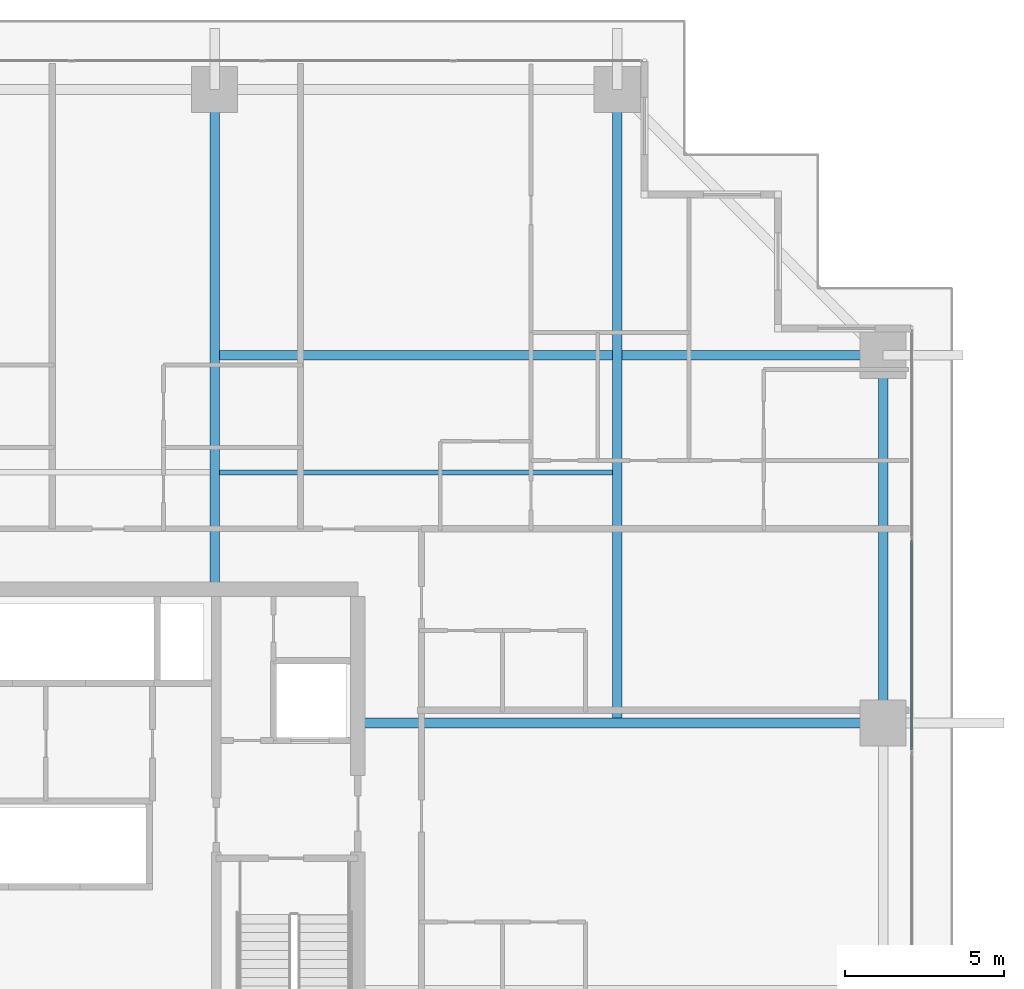
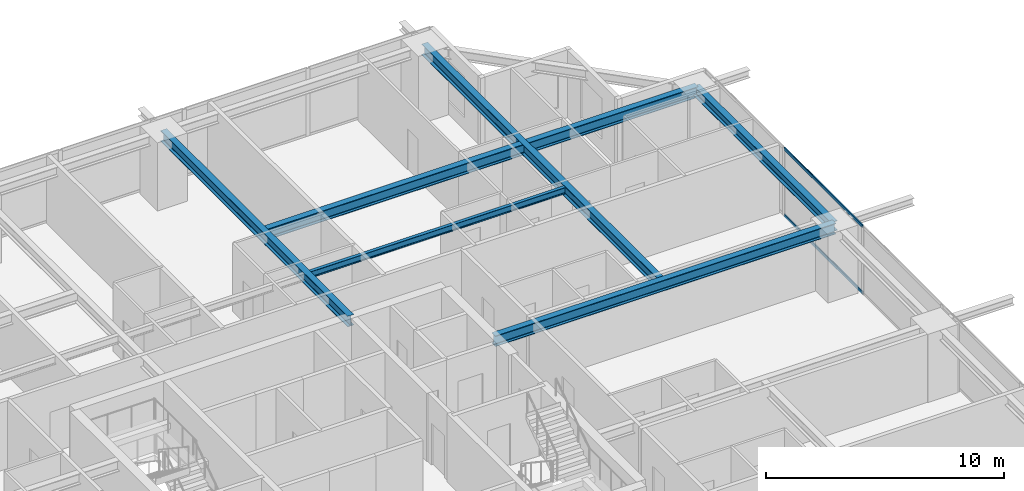
# One storey, part 22 of 40: 6 beams, 2 members, 1 element without a shape of its own.
"""IFC4 building model written with IfcOpenShell, lengths in metres."""

from ifc_helpers import new_model, si_unit, direction, frame, origin, origin_2d, place, context, subcontext, project, spatial, hollow_rectangle, i_section, extrude, source, transform, mapped, material, layer, layer_set, material_profile, profile_set, type_object, element, aggregate, save


model = new_model("IFC4")

# Units and contexts
model_context = context("Model", 3, precision=1e-05, world=origin(), true_north=direction((0.0, 1.0)))
body_context = subcontext(model_context, "Body", "Model", "MODEL_VIEW")
ifc_project = project(units=[si_unit("LENGTHUNIT", "METRE"), si_unit("AREAUNIT", "SQUARE_METRE"), si_unit("VOLUMEUNIT", "CUBIC_METRE"), si_unit("PLANEANGLEUNIT", "RADIAN"), si_unit("MASSUNIT", "GRAM", prefix="KILO")], contexts=[model_context])

# Site, building, storey
site_placement = place(None, origin())
site = spatial("IfcSite", under=ifc_project, at=site_placement, CompositionType="ELEMENT")
building_placement = place(site_placement, origin())
building = spatial("IfcBuilding", under=site, at=building_placement, Name="Serunith Strait Residences", CompositionType="ELEMENT")
storey_placement = place(building_placement, frame((0.0, 0.0, 90.449951171875)))
storey = spatial("IfcBuildingStorey", under=building, at=storey_placement, Name="L22", CompositionType="ELEMENT", Elevation=90.449951171875)

# Beams
ifc_material_1 = material(Name="Steel S355J2", Category="steel")
ifc_material_profile_1 = material_profile(ifc_material_1, i_section(OverallWidth=0.300048828125, OverallDepth=0.550048828125, WebThickness=0.014892578125, FlangeThickness=0.029052734375, FilletRadius=0.027099609375, at=origin_2d()), Name="HEB 550")
ifc_profile_set_1 = profile_set([ifc_material_profile_1], Name="Steel S355J2")
beam_type_1 = type_object("IfcBeamType", Name="BM-HEB550", PredefinedType="BEAM", material=ifc_profile_set_1)
shared_shape_1 = source(origin(), body_context, "Body", "SweptSolid", [
    extrude(i_section(OverallWidth=0.300048828125, OverallDepth=0.550048828125, WebThickness=0.014892578125, FlangeThickness=0.029052734375, FilletRadius=0.027099609375, at=origin_2d()), origin(), (0.0, 0.0, 1.0), 15.699951171875),
])
beam_1_placement = place(storey_placement, frame((36.89990234375, 33.60009765625, 3.212158203125), z_axis=(0.0, 1.0, 0.0), x_axis=(-1.0, 0.0, 0.0)))
element("IfcBeam", 1, at=beam_1_placement, inside=storey, type_object=beam_type_1, Name="L22 Primary Floor Girder TC-N3", PredefinedType="BEAM", context=body_context, shape_type="MappedRepresentation", body=[
    mapped(shared_shape_1, transform((0.0, 0.0, 0.0), scale=1.0)),
])
shared_shape_2 = source(origin(), body_context, "Body", "SweptSolid", [
    extrude(i_section(OverallWidth=0.300048828125, OverallDepth=0.550048828125, WebThickness=0.014892578125, FlangeThickness=0.029052734375, FilletRadius=0.027099609375, at=origin_2d()), origin(), (0.0, 0.0, 1.0), 16.5),
])
beam_2_placement = place(storey_placement, frame((41.39990234375, 29.39990234375, 3.212158203125), z_axis=(1.0, 0.0, 0.0), x_axis=(0.0, 1.0, 0.0)))
element("IfcBeam", 2, at=beam_2_placement, inside=storey, type_object=beam_type_1, Name="L22 Primary Floor Girder TC-E3", PredefinedType="BEAM", context=body_context, shape_type="MappedRepresentation", body=[
    mapped(shared_shape_2, transform((0.0, 0.0, 0.0), scale=1.0)),
])
shared_shape_3 = source(origin(), body_context, "Body", "SweptSolid", [
    extrude(i_section(OverallWidth=0.300048828125, OverallDepth=0.550048828125, WebThickness=0.014892578125, FlangeThickness=0.029052734375, FilletRadius=0.027099609375, at=origin_2d()), origin(), (0.0, 0.0, 1.0), 19.900146484375),
])
beam_3_placement = place(storey_placement, frame((49.550048828125, 29.39990234375, 3.212158203125), z_axis=(0.0, 1.0, 0.0), x_axis=(-1.0, 0.0, 0.0)))
element("IfcBeam", 3, at=beam_3_placement, inside=storey, type_object=beam_type_1, Name="L22 Orthogonal Corner Girder TC-N4", PredefinedType="BEAM", context=body_context, shape_type="MappedRepresentation", body=[
    mapped(shared_shape_3, transform((0.0, 0.0, 0.0), scale=1.0)),
])
shared_shape_4 = source(origin(), body_context, "Body", "SweptSolid", [
    extrude(i_section(OverallWidth=0.300048828125, OverallDepth=0.550048828125, WebThickness=0.014892578125, FlangeThickness=0.029052734375, FilletRadius=0.027099609375, at=origin_2d()), origin(), (0.0, 0.0, 1.0), 21.0),
])
beam_4_placement = place(storey_placement, frame((36.89990234375, 40.949951171875, 3.212158203125), z_axis=(1.0, 0.0, 0.0), x_axis=(0.0, 1.0, 0.0)))
element("IfcBeam", 4, at=beam_4_placement, inside=storey, type_object=beam_type_1, Name="L22 Orthogonal Corner Girder TC-E4", PredefinedType="BEAM", context=body_context, shape_type="MappedRepresentation", body=[
    mapped(shared_shape_4, transform((0.0, 0.0, 0.0), scale=1.0)),
])
ifc_material_profile_2 = material_profile(ifc_material_1, i_section(OverallWidth=0.300048828125, OverallDepth=0.5, WebThickness=0.014404296875, FlangeThickness=0.028076171875, FilletRadius=0.027099609375, at=origin_2d()), Name="HEB 500")
ifc_profile_set_2 = profile_set([ifc_material_profile_2], Name="Steel S355J2")
beam_type_2 = type_object("IfcBeamType", Name="BM-HEB500", PredefinedType="BEAM", material=ifc_profile_set_2)
shared_shape_5 = source(origin(), body_context, "Body", "SweptSolid", [
    extrude(i_section(OverallWidth=0.300048828125, OverallDepth=0.5, WebThickness=0.014404296875, FlangeThickness=0.028076171875, FilletRadius=0.027099609375, at=origin_2d()), origin(), (0.0, 0.0, 1.0), 11.550048828125),
])
beam_5_placement = place(storey_placement, frame((57.89990234375, 29.39990234375, 3.237060546875), z_axis=(0.0, 1.0, 0.0), x_axis=(-1.0, 0.0, 0.0)))
element("IfcBeam", 5, at=beam_5_placement, inside=storey, type_object=beam_type_2, Name="L22 Perimeter Ring Beam 07", PredefinedType="BEAM", context=body_context, shape_type="MappedRepresentation", body=[
    mapped(shared_shape_5, transform((0.0, 0.0, 0.0), scale=1.0)),
])
ifc_material_profile_3 = material_profile(ifc_material_1, i_section(OverallWidth=0.159912109375, OverallDepth=0.330078125, WebThickness=0.007568359375, FlangeThickness=0.011474609375, FilletRadius=0.01806640625, at=origin_2d()), Name="IPE 330")
ifc_profile_set_3 = profile_set([ifc_material_profile_3], Name="Steel S355J2")
beam_type_3 = type_object("IfcBeamType", Name="BM-IPE330", PredefinedType="JOIST", material=ifc_profile_set_3)
shared_shape_6 = source(origin(), body_context, "Body", "SweptSolid", [
    extrude(i_section(OverallWidth=0.159912109375, OverallDepth=0.330078125, WebThickness=0.007568359375, FlangeThickness=0.011474609375, FilletRadius=0.01806640625, at=origin_2d()), origin(), (0.0, 0.0, 1.0), 12.349853515625),
])
beam_6_placement = place(storey_placement, frame((37.050048828125, 37.27490234375, 3.322021484375), z_axis=(1.0, 0.0, 0.0), x_axis=(0.0, 1.0, 0.0)))
element("IfcBeam", 6, at=beam_6_placement, inside=storey, type_object=beam_type_3, Name="L22 Composite Floor Joist 06", PredefinedType="JOIST", context=body_context, shape_type="MappedRepresentation", body=[
    mapped(shared_shape_6, transform((0.0, 0.0, 0.0), scale=1.0)),
])

# Curtain wall, members
ifc_material_2 = material(Name="Pale-Champagne Anodised Aluminium", Category="aluminium")
ifc_layer = layer(ifc_material_2, 0.199951171875, Name="Pale-Champagne Anodised Aluminium")
ifc_layer_set = layer_set([ifc_layer], Name="Pale-Champagne Anodised Aluminium")
curtain_wall_type = type_object("IfcCurtainWallType", Name="CW-SYS1", PredefinedType="NOTDEFINED", material=ifc_layer_set)
curtain_wall_placement = place(storey_placement, origin())
curtain_wall = element("IfcCurtainWall", 7, at=curtain_wall_placement, inside=storey, type_object=curtain_wall_type, Name="L22 E Unitised Fritted Curtain Wall", PredefinedType="NOTDEFINED")
ifc_material_profile_4 = material_profile(ifc_material_2, hollow_rectangle(XDim=0.06005859375, YDim=0.159912109375, WallThickness=0.00341796875, InnerFilletRadius=0.00537109375, OuterFilletRadius=0.0087890625, at=origin_2d()), Name="ALU 160x60x3.5")
ifc_profile_set_4 = profile_set([ifc_material_profile_4], Name="Pale-Champagne Anodised Aluminium")
member_type = type_object("IfcMemberType", Name="CW-SYS1-TRAN", PredefinedType="USERDEFINED", material=ifc_profile_set_4)
shared_shape_7 = source(origin(), body_context, "Body", "SweptSolid", [
    extrude(hollow_rectangle(XDim=0.06005859375, YDim=0.159912109375, WallThickness=0.00341796875, InnerFilletRadius=0.00537109375, OuterFilletRadius=0.0087890625, at=origin_2d()), origin(), (0.0, 0.0, 1.0), 6.570068359375),
])
member_1_placement = place(storey_placement, frame((58.800048828125, 28.554931640625, 0.030029296875), z_axis=(0.0, 1.0, 0.0), x_axis=(-1.0, 0.0, 0.0)))
member_1 = element("IfcMember", 8, at=member_1_placement, type_object=member_type, Name="CW-1 transom 4.1", ObjectType="TRANSOM", PredefinedType="USERDEFINED", context=body_context, shape_type="MappedRepresentation", body=[
    mapped(shared_shape_7, transform((0.0, 0.0, 0.0), scale=1.0)),
])
member_2_placement = place(storey_placement, frame((58.800048828125, 28.554931640625, 3.445068359375), z_axis=(0.0, 1.0, 0.0), x_axis=(-1.0, 0.0, 0.0)))
member_2 = element("IfcMember", 9, at=member_2_placement, type_object=member_type, Name="CW-1 transom 4.2", ObjectType="TRANSOM", PredefinedType="USERDEFINED", context=body_context, shape_type="MappedRepresentation", body=[
    mapped(shared_shape_7, transform((0.0, 0.0, 0.0), scale=1.0)),
])
aggregate(curtain_wall, [member_1, member_2])

save(model, "model.ifc")
